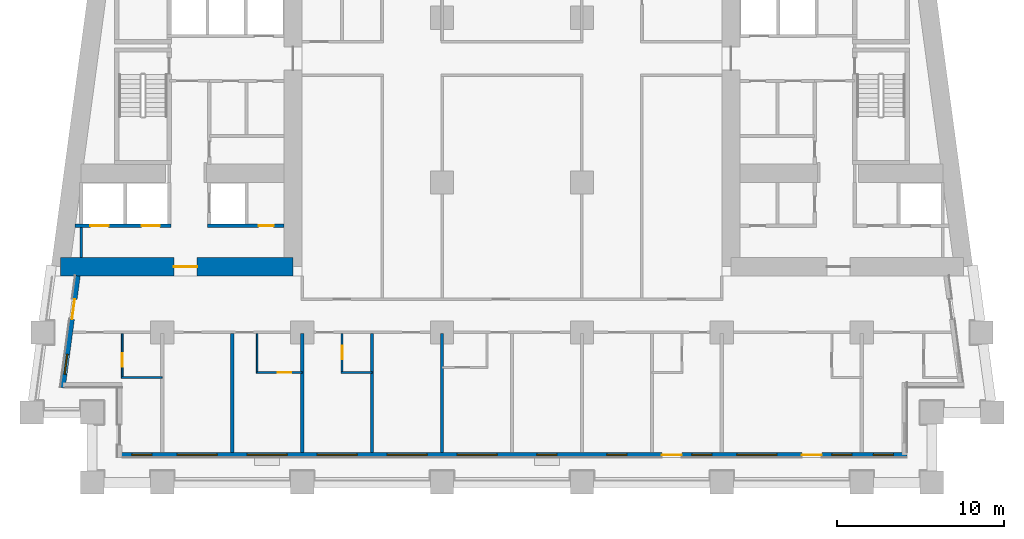
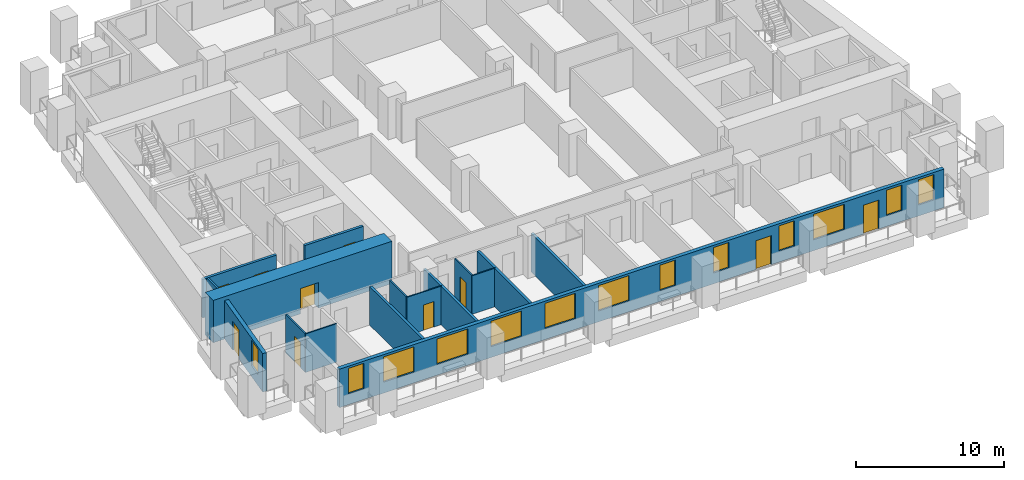
# One storey, part 2 of 12: 16 walls, 13 windows, 10 doors, 23 openings.
"""IFC4 building model written with IfcOpenShell, lengths in metres."""

from ifc_helpers import new_model, si_unit, direction, frame, frame_2d, origin, place, context, subcontext, project, spatial, rectangle, extrude, material, layer, layer_set, type_object, element, fill, save


model = new_model("IFC4")

# Units and contexts
model_context = context("Model", 3, precision=1e-05, world=origin(), true_north=direction((0.0, 1.0)))
body_context = subcontext(model_context, "Body", "Model", "MODEL_VIEW")
ifc_project = project(units=[si_unit("LENGTHUNIT", "METRE"), si_unit("AREAUNIT", "SQUARE_METRE"), si_unit("VOLUMEUNIT", "CUBIC_METRE"), si_unit("PLANEANGLEUNIT", "RADIAN"), si_unit("MASSUNIT", "GRAM", prefix="KILO")], contexts=[model_context])

# Site, building, storey
site_placement = place(None, origin())
site = spatial("IfcSite", under=ifc_project, at=site_placement, CompositionType="ELEMENT")
building_placement = place(site_placement, origin())
building = spatial("IfcBuilding", under=site, at=building_placement, Name="Candeia Pilgrim Tower and Theatre", CompositionType="ELEMENT")
storey_placement = place(building_placement, frame((0.0, 0.0, 49.5)))
storey = spatial("IfcBuildingStorey", under=building, at=storey_placement, Name="L09", CompositionType="ELEMENT", Elevation=49.5)

# Wall, opening, door
ifc_material_1 = material(Name="Concrete C80/95", Category="concrete")
ifc_layer_1 = layer(ifc_material_1, 1.10009765625)
ifc_layer_set_1 = layer_set([ifc_layer_1], Name="Core wall 1100 C80/95")
wall_type_1 = type_object("IfcWallType", Name="Core wall 1100 C80/95", PredefinedType="SHEAR", material=ifc_layer_set_1)
wall_1_placement = place(storey_placement, frame((100.25, 110.949951171875, 0.0), z_axis=(0.0, 0.0, 1.0), x_axis=(-1.0, 0.0, 0.0)))
wall_1 = element("IfcWall", 1, at=wall_1_placement, inside=storey, type_object=wall_type_1, Name="Core wall W3", PredefinedType="SHEAR", context=body_context, shape_type="SweptSolid", body=[
    extrude(rectangle(XDim=13.95166015625, YDim=1.10009765625, at=frame_2d((6.975830078125, 0.0))), origin(), (0.0, 0.0, 1.0), 3.5),
])
opening_1_placement = place(wall_1_placement, frame((5.74755859375, 0.0, 0.0)))
opening_1 = element("IfcOpeningElement", 2, at=opening_1_placement, cuts=wall_1, Name="Opening L09-D054", PredefinedType="OPENING", context=body_context, shape_type="SweptSolid", body=[
    extrude(rectangle(XDim=1.39990234375, YDim=2.10009765625, at=frame_2d((0.699951171875, 1.050048828125))), frame((0.0, 0.56005859375, 0.0), z_axis=(0.0, -1.0, 0.0), x_axis=(1.0, 0.0, 0.0)), (0.0, 0.0, 1.0), 1.1201171875),
])
ifc_material_2 = material(Name="Steel fire door set", Category="steel")
door_type_1 = type_object("IfcDoorType", Name="D-1400-FD60", OperationType="NOTDEFINED", PredefinedType="DOOR", material=ifc_material_2)
door_1_placement = place(opening_1_placement, origin())
door_1 = element("IfcDoor", 3, at=door_1_placement, inside=storey, type_object=door_type_1, Name="Door L09-D054", OperationType="SINGLE_SWING_LEFT", OverallHeight=2.10009765625, OverallWidth=1.39990234375, PredefinedType="DOOR", context=body_context, shape_type="SweptSolid", body=[
    extrude(rectangle(XDim=1.39990234375, YDim=2.10009765625, at=frame_2d((0.699951171875, 1.050048828125))), frame((0.0, 0.02490234375, 0.0), z_axis=(0.0, -1.0, 0.0), x_axis=(1.0, 0.0, 0.0)), (0.0, 0.0, 1.0), 0.050048828125),
])
fill(opening_1, door_1)

# Wall, openings, doors, windows
ifc_material_3 = material(Name="Ceramic block masonry", Category="masonry")
ifc_layer_2 = layer(ifc_material_3, 0.300048828125)
ifc_layer_set_2 = layer_set([ifc_layer_2], Name="EW1 glazing-line wall 300")
wall_type_2 = type_object("IfcWallType", Name="EW1 glazing-line wall 300", PredefinedType="SOLIDWALL", material=ifc_layer_set_2)
wall_2_placement = place(storey_placement, frame((89.85009765625, 99.64990234375, 0.0), z_axis=(0.0, 0.0, 1.0), x_axis=(1.0, 0.0, 0.0)))
wall_2 = element("IfcWall", 4, at=wall_2_placement, inside=storey, type_object=wall_type_2, Name="External wall L09-0.0", PredefinedType="SOLIDWALL", context=body_context, shape_type="SweptSolid", body=[
    extrude(rectangle(XDim=47.25, YDim=0.300048828125, at=frame_2d((23.625, 0.0))), origin(), (0.0, 0.0, 1.0), 3.179931640625),
])
opening_2_placement = place(wall_2_placement, frame((0.72509765625, 0.0, 0.89990234375)))
opening_2 = element("IfcOpeningElement", 5, at=opening_2_placement, cuts=wall_2, Name="Opening W-B", PredefinedType="OPENING", context=body_context, shape_type="SweptSolid", body=[
    extrude(rectangle(XDim=1.199951171875, YDim=2.10009765625, at=frame_2d((0.60009765625, 1.050048828125))), frame((0.0, 0.16015625, 0.0), z_axis=(0.0, -1.0, 0.0), x_axis=(1.0, 0.0, 0.0)), (0.0, 0.0, 1.0), 0.320068359375),
])
opening_3_placement = place(wall_2_placement, frame((3.449951171875, 0.0, 0.89990234375)))
opening_3 = element("IfcOpeningElement", 6, at=opening_3_placement, cuts=wall_2, Name="Opening W-A", PredefinedType="OPENING", context=body_context, shape_type="SweptSolid", body=[
    extrude(rectangle(XDim=2.39990234375, YDim=2.10009765625, at=frame_2d((1.199951171875, 1.050048828125))), frame((0.0, 0.16015625, 0.0), z_axis=(0.0, -1.0, 0.0), x_axis=(1.0, 0.0, 0.0)), (0.0, 0.0, 1.0), 0.320068359375),
])
opening_4_placement = place(wall_2_placement, frame((7.64990234375, 0.0, 0.89990234375)))
opening_4 = element("IfcOpeningElement", 7, at=opening_4_placement, cuts=wall_2, Name="Opening W-A", PredefinedType="OPENING", context=body_context, shape_type="SweptSolid", body=[
    extrude(rectangle(XDim=2.39990234375, YDim=2.10009765625, at=frame_2d((1.199951171875, 1.050048828125))), frame((0.0, 0.16015625, 0.0), z_axis=(0.0, -1.0, 0.0), x_axis=(1.0, 0.0, 0.0)), (0.0, 0.0, 1.0), 0.320068359375),
])
opening_5_placement = place(wall_2_placement, frame((11.85009765625, 0.0, 0.89990234375)))
opening_5 = element("IfcOpeningElement", 8, at=opening_5_placement, cuts=wall_2, Name="Opening W-A", PredefinedType="OPENING", context=body_context, shape_type="SweptSolid", body=[
    extrude(rectangle(XDim=2.39990234375, YDim=2.10009765625, at=frame_2d((1.199951171875, 1.050048828125))), frame((0.0, 0.16015625, 0.0), z_axis=(0.0, -1.0, 0.0), x_axis=(1.0, 0.0, 0.0)), (0.0, 0.0, 1.0), 0.320068359375),
])
opening_6_placement = place(wall_2_placement, frame((16.050048828125, 0.0, 0.89990234375)))
opening_6 = element("IfcOpeningElement", 9, at=opening_6_placement, cuts=wall_2, Name="Opening W-A", PredefinedType="OPENING", context=body_context, shape_type="SweptSolid", body=[
    extrude(rectangle(XDim=2.39990234375, YDim=2.10009765625, at=frame_2d((1.199951171875, 1.050048828125))), frame((0.0, 0.16015625, 0.0), z_axis=(0.0, -1.0, 0.0), x_axis=(1.0, 0.0, 0.0)), (0.0, 0.0, 1.0), 0.320068359375),
])
opening_7_placement = place(wall_2_placement, frame((20.25, 0.0, 0.89990234375)))
opening_7 = element("IfcOpeningElement", 10, at=opening_7_placement, cuts=wall_2, Name="Opening W-A", PredefinedType="OPENING", context=body_context, shape_type="SweptSolid", body=[
    extrude(rectangle(XDim=2.39990234375, YDim=2.10009765625, at=frame_2d((1.199951171875, 1.050048828125))), frame((0.0, 0.16015625, 0.0), z_axis=(0.0, -1.0, 0.0), x_axis=(1.0, 0.0, 0.0)), (0.0, 0.0, 1.0), 0.320068359375),
])
opening_8_placement = place(wall_2_placement, frame((25.050048828125, 0.0, 0.89990234375)))
opening_8 = element("IfcOpeningElement", 11, at=opening_8_placement, cuts=wall_2, Name="Opening W-B", PredefinedType="OPENING", context=body_context, shape_type="SweptSolid", body=[
    extrude(rectangle(XDim=1.199951171875, YDim=2.10009765625, at=frame_2d((0.60009765625, 1.050048828125))), frame((0.0, 0.16015625, 0.0), z_axis=(0.0, -1.0, 0.0), x_axis=(1.0, 0.0, 0.0)), (0.0, 0.0, 1.0), 0.320068359375),
])
opening_9_placement = place(wall_2_placement, frame((29.25, 0.0, 0.89990234375)))
opening_9 = element("IfcOpeningElement", 12, at=opening_9_placement, cuts=wall_2, Name="Opening W-B", PredefinedType="OPENING", context=body_context, shape_type="SweptSolid", body=[
    extrude(rectangle(XDim=1.199951171875, YDim=2.10009765625, at=frame_2d((0.60009765625, 1.050048828125))), frame((0.0, 0.16015625, 0.0), z_axis=(0.0, -1.0, 0.0), x_axis=(1.0, 0.0, 0.0)), (0.0, 0.0, 1.0), 0.320068359375),
])
opening_10_placement = place(wall_2_placement, frame((32.550048828125, 0.0, 0.0)))
opening_10 = element("IfcOpeningElement", 13, at=opening_10_placement, cuts=wall_2, Name="Opening L09-ED110", PredefinedType="OPENING", context=body_context, shape_type="SweptSolid", body=[
    extrude(rectangle(XDim=1.199951171875, YDim=2.39990234375, at=frame_2d((0.60009765625, 1.199951171875))), frame((0.0, 0.16015625, 0.0), z_axis=(0.0, -1.0, 0.0), x_axis=(1.0, 0.0, 0.0)), (0.0, 0.0, 1.0), 0.320068359375),
])
opening_11_placement = place(wall_2_placement, frame((34.35009765625, 0.0, 0.89990234375)))
opening_11 = element("IfcOpeningElement", 14, at=opening_11_placement, cuts=wall_2, Name="Opening W-B", PredefinedType="OPENING", context=body_context, shape_type="SweptSolid", body=[
    extrude(rectangle(XDim=1.199951171875, YDim=2.10009765625, at=frame_2d((0.60009765625, 1.050048828125))), frame((0.0, 0.16015625, 0.0), z_axis=(0.0, -1.0, 0.0), x_axis=(1.0, 0.0, 0.0)), (0.0, 0.0, 1.0), 0.320068359375),
])
opening_12_placement = place(wall_2_placement, frame((37.050048828125, 0.0, 0.89990234375)))
opening_12 = element("IfcOpeningElement", 15, at=opening_12_placement, cuts=wall_2, Name="Opening W-A", PredefinedType="OPENING", context=body_context, shape_type="SweptSolid", body=[
    extrude(rectangle(XDim=2.39990234375, YDim=2.10009765625, at=frame_2d((1.199951171875, 1.050048828125))), frame((0.0, 0.16015625, 0.0), z_axis=(0.0, -1.0, 0.0), x_axis=(1.0, 0.0, 0.0)), (0.0, 0.0, 1.0), 0.320068359375),
])
opening_13_placement = place(wall_2_placement, frame((40.949951171875, 0.0, 0.0)))
opening_13 = element("IfcOpeningElement", 16, at=opening_13_placement, cuts=wall_2, Name="Opening L09-ED111", PredefinedType="OPENING", context=body_context, shape_type="SweptSolid", body=[
    extrude(rectangle(XDim=1.199951171875, YDim=2.39990234375, at=frame_2d((0.60009765625, 1.199951171875))), frame((0.0, 0.16015625, 0.0), z_axis=(0.0, -1.0, 0.0), x_axis=(1.0, 0.0, 0.0)), (0.0, 0.0, 1.0), 0.320068359375),
])
opening_14_placement = place(wall_2_placement, frame((42.75, 0.0, 0.89990234375)))
opening_14 = element("IfcOpeningElement", 17, at=opening_14_placement, cuts=wall_2, Name="Opening W-B", PredefinedType="OPENING", context=body_context, shape_type="SweptSolid", body=[
    extrude(rectangle(XDim=1.199951171875, YDim=2.10009765625, at=frame_2d((0.60009765625, 1.050048828125))), frame((0.0, 0.16015625, 0.0), z_axis=(0.0, -1.0, 0.0), x_axis=(1.0, 0.0, 0.0)), (0.0, 0.0, 1.0), 0.320068359375),
])
opening_15_placement = place(wall_2_placement, frame((45.25, 0.0, 0.89990234375)))
opening_15 = element("IfcOpeningElement", 18, at=opening_15_placement, cuts=wall_2, Name="Opening W-B", PredefinedType="OPENING", context=body_context, shape_type="SweptSolid", body=[
    extrude(rectangle(XDim=1.199951171875, YDim=2.10009765625, at=frame_2d((0.60009765625, 1.050048828125))), frame((0.0, 0.16015625, 0.0), z_axis=(0.0, -1.0, 0.0), x_axis=(1.0, 0.0, 0.0)), (0.0, 0.0, 1.0), 0.320068359375),
])
ifc_material_4 = material(Name="Aluminium framed glazed door", Category="aluminium")
door_type_2 = type_object("IfcDoorType", Name="Loggia door 1200x2400", OperationType="DOUBLE_DOOR_SINGLE_SWING", PredefinedType="DOOR", material=ifc_material_4)
door_2_placement = place(opening_10_placement, origin())
door_2 = element("IfcDoor", 19, at=door_2_placement, inside=storey, type_object=door_type_2, Name="Loggia door L09-ED110", OperationType="DOUBLE_DOOR_SINGLE_SWING", OverallHeight=2.39990234375, OverallWidth=1.199951171875, PredefinedType="DOOR", context=body_context, shape_type="SweptSolid", body=[
    extrude(rectangle(XDim=1.199951171875, YDim=2.39990234375, at=frame_2d((0.60009765625, 1.199951171875))), frame((0.0, 0.02490234375, 0.0), z_axis=(0.0, -1.0, 0.0), x_axis=(1.0, 0.0, 0.0)), (0.0, 0.0, 1.0), 0.050048828125),
])
fill(opening_10, door_2)
door_3_placement = place(opening_13_placement, origin())
door_3 = element("IfcDoor", 20, at=door_3_placement, inside=storey, type_object=door_type_2, Name="Loggia door L09-ED111", OperationType="DOUBLE_DOOR_SINGLE_SWING", OverallHeight=2.39990234375, OverallWidth=1.199951171875, PredefinedType="DOOR", context=body_context, shape_type="SweptSolid", body=[
    extrude(rectangle(XDim=1.199951171875, YDim=2.39990234375, at=frame_2d((0.60009765625, 1.199951171875))), frame((0.0, 0.02490234375, 0.0), z_axis=(0.0, -1.0, 0.0), x_axis=(1.0, 0.0, 0.0)), (0.0, 0.0, 1.0), 0.050048828125),
])
fill(opening_13, door_3)
ifc_material_5 = material(Name="Aluminium framed double glazing", Category="aluminium")
window_type_1 = type_object("IfcWindowType", Name="W-A window 2400x2100", PartitioningType="DOUBLE_PANEL_VERTICAL", PredefinedType="WINDOW", material=ifc_material_5)
window_1_placement = place(opening_3_placement, origin())
window_1 = element("IfcWindow", 21, at=window_1_placement, inside=storey, type_object=window_type_1, Name="Window W-A L09", OverallHeight=2.10009765625, OverallWidth=2.39990234375, PartitioningType="SINGLE_PANEL", PredefinedType="WINDOW", context=body_context, shape_type="SweptSolid", body=[
    extrude(rectangle(XDim=2.39990234375, YDim=2.10009765625, at=frame_2d((1.199951171875, 1.050048828125))), frame((0.0, 0.030029296875, 0.0), z_axis=(0.0, -1.0, 0.0), x_axis=(1.0, 0.0, 0.0)), (0.0, 0.0, 1.0), 0.06005859375),
])
fill(opening_3, window_1)
window_2_placement = place(opening_4_placement, origin())
window_2 = element("IfcWindow", 22, at=window_2_placement, inside=storey, type_object=window_type_1, Name="Window W-A L09", OverallHeight=2.10009765625, OverallWidth=2.39990234375, PartitioningType="SINGLE_PANEL", PredefinedType="WINDOW", context=body_context, shape_type="SweptSolid", body=[
    extrude(rectangle(XDim=2.39990234375, YDim=2.10009765625, at=frame_2d((1.199951171875, 1.050048828125))), frame((0.0, 0.030029296875, 0.0), z_axis=(0.0, -1.0, 0.0), x_axis=(1.0, 0.0, 0.0)), (0.0, 0.0, 1.0), 0.06005859375),
])
fill(opening_4, window_2)
window_3_placement = place(opening_5_placement, origin())
window_3 = element("IfcWindow", 23, at=window_3_placement, inside=storey, type_object=window_type_1, Name="Window W-A L09", OverallHeight=2.10009765625, OverallWidth=2.39990234375, PartitioningType="SINGLE_PANEL", PredefinedType="WINDOW", context=body_context, shape_type="SweptSolid", body=[
    extrude(rectangle(XDim=2.39990234375, YDim=2.10009765625, at=frame_2d((1.199951171875, 1.050048828125))), frame((0.0, 0.030029296875, 0.0), z_axis=(0.0, -1.0, 0.0), x_axis=(1.0, 0.0, 0.0)), (0.0, 0.0, 1.0), 0.06005859375),
])
fill(opening_5, window_3)
window_4_placement = place(opening_6_placement, origin())
window_4 = element("IfcWindow", 24, at=window_4_placement, inside=storey, type_object=window_type_1, Name="Window W-A L09", OverallHeight=2.10009765625, OverallWidth=2.39990234375, PartitioningType="SINGLE_PANEL", PredefinedType="WINDOW", context=body_context, shape_type="SweptSolid", body=[
    extrude(rectangle(XDim=2.39990234375, YDim=2.10009765625, at=frame_2d((1.199951171875, 1.050048828125))), frame((0.0, 0.030029296875, 0.0), z_axis=(0.0, -1.0, 0.0), x_axis=(1.0, 0.0, 0.0)), (0.0, 0.0, 1.0), 0.06005859375),
])
fill(opening_6, window_4)
window_5_placement = place(opening_7_placement, origin())
window_5 = element("IfcWindow", 25, at=window_5_placement, inside=storey, type_object=window_type_1, Name="Window W-A L09", OverallHeight=2.10009765625, OverallWidth=2.39990234375, PartitioningType="SINGLE_PANEL", PredefinedType="WINDOW", context=body_context, shape_type="SweptSolid", body=[
    extrude(rectangle(XDim=2.39990234375, YDim=2.10009765625, at=frame_2d((1.199951171875, 1.050048828125))), frame((0.0, 0.030029296875, 0.0), z_axis=(0.0, -1.0, 0.0), x_axis=(1.0, 0.0, 0.0)), (0.0, 0.0, 1.0), 0.06005859375),
])
fill(opening_7, window_5)
window_6_placement = place(opening_12_placement, origin())
window_6 = element("IfcWindow", 26, at=window_6_placement, inside=storey, type_object=window_type_1, Name="Window W-A L09", OverallHeight=2.10009765625, OverallWidth=2.39990234375, PartitioningType="SINGLE_PANEL", PredefinedType="WINDOW", context=body_context, shape_type="SweptSolid", body=[
    extrude(rectangle(XDim=2.39990234375, YDim=2.10009765625, at=frame_2d((1.199951171875, 1.050048828125))), frame((0.0, 0.030029296875, 0.0), z_axis=(0.0, -1.0, 0.0), x_axis=(1.0, 0.0, 0.0)), (0.0, 0.0, 1.0), 0.06005859375),
])
fill(opening_12, window_6)
window_type_2 = type_object("IfcWindowType", Name="W-B window 1200x2100", PartitioningType="SINGLE_PANEL", PredefinedType="WINDOW", material=ifc_material_5)
window_7_placement = place(opening_2_placement, origin())
window_7 = element("IfcWindow", 27, at=window_7_placement, inside=storey, type_object=window_type_2, Name="Window W-B L09", OverallHeight=2.10009765625, OverallWidth=1.199951171875, PartitioningType="SINGLE_PANEL", PredefinedType="WINDOW", context=body_context, shape_type="SweptSolid", body=[
    extrude(rectangle(XDim=1.199951171875, YDim=2.10009765625, at=frame_2d((0.60009765625, 1.050048828125))), frame((0.0, 0.030029296875, 0.0), z_axis=(0.0, -1.0, 0.0), x_axis=(1.0, 0.0, 0.0)), (0.0, 0.0, 1.0), 0.06005859375),
])
fill(opening_2, window_7)
window_8_placement = place(opening_8_placement, origin())
window_8 = element("IfcWindow", 28, at=window_8_placement, inside=storey, type_object=window_type_2, Name="Window W-B L09", OverallHeight=2.10009765625, OverallWidth=1.199951171875, PartitioningType="SINGLE_PANEL", PredefinedType="WINDOW", context=body_context, shape_type="SweptSolid", body=[
    extrude(rectangle(XDim=1.199951171875, YDim=2.10009765625, at=frame_2d((0.60009765625, 1.050048828125))), frame((0.0, 0.030029296875, 0.0), z_axis=(0.0, -1.0, 0.0), x_axis=(1.0, 0.0, 0.0)), (0.0, 0.0, 1.0), 0.06005859375),
])
fill(opening_8, window_8)
window_9_placement = place(opening_9_placement, origin())
window_9 = element("IfcWindow", 29, at=window_9_placement, inside=storey, type_object=window_type_2, Name="Window W-B L09", OverallHeight=2.10009765625, OverallWidth=1.199951171875, PartitioningType="SINGLE_PANEL", PredefinedType="WINDOW", context=body_context, shape_type="SweptSolid", body=[
    extrude(rectangle(XDim=1.199951171875, YDim=2.10009765625, at=frame_2d((0.60009765625, 1.050048828125))), frame((0.0, 0.030029296875, 0.0), z_axis=(0.0, -1.0, 0.0), x_axis=(1.0, 0.0, 0.0)), (0.0, 0.0, 1.0), 0.06005859375),
])
fill(opening_9, window_9)
window_10_placement = place(opening_11_placement, origin())
window_10 = element("IfcWindow", 30, at=window_10_placement, inside=storey, type_object=window_type_2, Name="Window W-B L09", OverallHeight=2.10009765625, OverallWidth=1.199951171875, PartitioningType="SINGLE_PANEL", PredefinedType="WINDOW", context=body_context, shape_type="SweptSolid", body=[
    extrude(rectangle(XDim=1.199951171875, YDim=2.10009765625, at=frame_2d((0.60009765625, 1.050048828125))), frame((0.0, 0.030029296875, 0.0), z_axis=(0.0, -1.0, 0.0), x_axis=(1.0, 0.0, 0.0)), (0.0, 0.0, 1.0), 0.06005859375),
])
fill(opening_11, window_10)
window_11_placement = place(opening_14_placement, origin())
window_11 = element("IfcWindow", 31, at=window_11_placement, inside=storey, type_object=window_type_2, Name="Window W-B L09", OverallHeight=2.10009765625, OverallWidth=1.199951171875, PartitioningType="SINGLE_PANEL", PredefinedType="WINDOW", context=body_context, shape_type="SweptSolid", body=[
    extrude(rectangle(XDim=1.199951171875, YDim=2.10009765625, at=frame_2d((0.60009765625, 1.050048828125))), frame((0.0, 0.030029296875, 0.0), z_axis=(0.0, -1.0, 0.0), x_axis=(1.0, 0.0, 0.0)), (0.0, 0.0, 1.0), 0.06005859375),
])
fill(opening_14, window_11)
window_12_placement = place(opening_15_placement, origin())
window_12 = element("IfcWindow", 32, at=window_12_placement, inside=storey, type_object=window_type_2, Name="Window W-B L09", OverallHeight=2.10009765625, OverallWidth=1.199951171875, PartitioningType="SINGLE_PANEL", PredefinedType="WINDOW", context=body_context, shape_type="SweptSolid", body=[
    extrude(rectangle(XDim=1.199951171875, YDim=2.10009765625, at=frame_2d((0.60009765625, 1.050048828125))), frame((0.0, 0.030029296875, 0.0), z_axis=(0.0, -1.0, 0.0), x_axis=(1.0, 0.0, 0.0)), (0.0, 0.0, 1.0), 0.06005859375),
])
fill(opening_15, window_12)

# Wall, openings, door, window
wall_3_placement = place(storey_placement, frame((87.334228515625, 110.39990234375, 0.0), z_axis=(0.0, 0.0, 1.0), x_axis=(-0.133437175554, -0.991057273915, 0.0)))
wall_3 = element("IfcWall", 33, at=wall_3_placement, inside=storey, type_object=wall_type_2, Name="External wall L09-9.1", PredefinedType="SOLIDWALL", context=body_context, shape_type="SweptSolid", body=[
    extrude(rectangle(XDim=6.780517578125, YDim=0.300048828125, at=frame_2d((3.39013671875, 0.0))), origin(), (0.0, 0.0, 1.0), 3.179931640625),
])
opening_16_placement = place(wall_3_placement, frame((1.41796875, 0.0, 0.0)))
opening_16 = element("IfcOpeningElement", 34, at=opening_16_placement, cuts=wall_3, Name="Opening L09-ED118", PredefinedType="OPENING", context=body_context, shape_type="SweptSolid", body=[
    extrude(rectangle(XDim=1.199951171875, YDim=2.39990234375, at=frame_2d((0.60009765625, 1.199951171875))), frame((0.0, 0.16015625, 0.0), z_axis=(0.0, -1.0, 0.0), x_axis=(1.0, 0.0, 0.0)), (0.0, 0.0, 1.0), 0.320068359375),
])
opening_17_placement = place(wall_3_placement, frame((4.75830078125, 0.0, 0.89990234375)))
opening_17 = element("IfcOpeningElement", 35, at=opening_17_placement, cuts=wall_3, Name="Opening W-B", PredefinedType="OPENING", context=body_context, shape_type="SweptSolid", body=[
    extrude(rectangle(XDim=1.199951171875, YDim=2.10009765625, at=frame_2d((0.60009765625, 1.050048828125))), frame((0.0, 0.16015625, 0.0), z_axis=(0.0, -1.0, 0.0), x_axis=(1.0, 0.0, 0.0)), (0.0, 0.0, 1.0), 0.320068359375),
])
door_4_placement = place(opening_16_placement, origin())
door_4 = element("IfcDoor", 36, at=door_4_placement, inside=storey, type_object=door_type_2, Name="Loggia door L09-ED118", OperationType="DOUBLE_DOOR_SINGLE_SWING", OverallHeight=2.39990234375, OverallWidth=1.199951171875, PredefinedType="DOOR", context=body_context, shape_type="SweptSolid", body=[
    extrude(rectangle(XDim=1.199951171875, YDim=2.39990234375, at=frame_2d((0.60009765625, 1.199951171875))), frame((0.0, 0.02490234375, 0.0), z_axis=(0.0, -1.0, 0.0), x_axis=(1.0, 0.0, 0.0)), (0.0, 0.0, 1.0), 0.050048828125),
])
fill(opening_16, door_4)
window_13_placement = place(opening_17_placement, origin())
window_13 = element("IfcWindow", 37, at=window_13_placement, inside=storey, type_object=window_type_2, Name="Window W-B L09", OverallHeight=2.10009765625, OverallWidth=1.199951171875, PartitioningType="SINGLE_PANEL", PredefinedType="WINDOW", context=body_context, shape_type="SweptSolid", body=[
    extrude(rectangle(XDim=1.199951171875, YDim=2.10009765625, at=frame_2d((0.60009765625, 1.050048828125))), frame((0.0, 0.030029296875, 0.0), z_axis=(0.0, -1.0, 0.0), x_axis=(1.0, 0.0, 0.0)), (0.0, 0.0, 1.0), 0.06005859375),
])
fill(opening_17, window_13)

# Wall
ifc_material_6 = material(Name="Gypsum board partition on steel studs", Category="steel")
ifc_layer_3 = layer(ifc_material_6, 0.10009765625)
ifc_layer_set_3 = layer_set([ifc_layer_3], Name="PW-100 room partition")
wall_type_3 = type_object("IfcWallType", Name="PW-100 room partition", PredefinedType="PARTITIONING", material=ifc_layer_set_3)
wall_4_placement = place(storey_placement, frame((89.949951171875, 104.300048828125, 0.0), z_axis=(0.0, 0.0, 1.0), x_axis=(1.0, 0.0, 0.0)))
element("IfcWall", 38, at=wall_4_placement, inside=storey, type_object=wall_type_3, Name="Room partition L09-001", PredefinedType="PARTITIONING", context=body_context, shape_type="SweptSolid", body=[
    extrude(rectangle(XDim=2.449951171875, YDim=0.10009765625, at=frame_2d((1.22509765625, 0.0))), origin(), (0.0, 0.0, 1.0), 3.179931640625),
])

# Wall, opening, door
wall_5_placement = place(storey_placement, frame((98.050048828125, 104.60009765625, 0.0), z_axis=(0.0, 0.0, 1.0), x_axis=(1.0, 0.0, 0.0)))
wall_5 = element("IfcWall", 39, at=wall_5_placement, inside=storey, type_object=wall_type_3, Name="Room partition L09-004", PredefinedType="PARTITIONING", context=body_context, shape_type="SweptSolid", body=[
    extrude(rectangle(XDim=2.75, YDim=0.10009765625, at=frame_2d((1.375, 0.0))), origin(), (0.0, 0.0, 1.0), 3.179931640625),
])
opening_18_placement = place(wall_5_placement, frame((1.300048828125, 0.0, 0.0)))
opening_18 = element("IfcOpeningElement", 40, at=opening_18_placement, cuts=wall_5, Name="Opening L09-D021", PredefinedType="OPENING", context=body_context, shape_type="SweptSolid", body=[
    extrude(rectangle(XDim=0.800048828125, YDim=2.10009765625, at=frame_2d((0.39990234375, 1.050048828125))), frame((0.0, 0.06005859375, 0.0), z_axis=(0.0, -1.0, 0.0), x_axis=(1.0, 0.0, 0.0)), (0.0, 0.0, 1.0), 0.1201171875),
])
ifc_material_7 = material(Name="Timber door leaf", Category="wood")
door_type_3 = type_object("IfcDoorType", Name="D-800", OperationType="NOTDEFINED", PredefinedType="DOOR", material=ifc_material_7)
door_5_placement = place(opening_18_placement, origin())
door_5 = element("IfcDoor", 41, at=door_5_placement, inside=storey, type_object=door_type_3, Name="Door L09-D021", OperationType="SINGLE_SWING_RIGHT", OverallHeight=2.10009765625, OverallWidth=0.800048828125, PredefinedType="DOOR", context=body_context, shape_type="SweptSolid", body=[
    extrude(rectangle(XDim=0.800048828125, YDim=2.10009765625, at=frame_2d((0.39990234375, 1.050048828125))), frame((0.0, 0.02490234375, 0.0), z_axis=(0.0, -1.0, 0.0), x_axis=(1.0, 0.0, 0.0)), (0.0, 0.0, 1.0), 0.050048828125),
])
fill(opening_18, door_5)

# Wall
wall_6_placement = place(storey_placement, frame((103.14990234375, 104.60009765625, 0.0), z_axis=(0.0, 0.0, 1.0), x_axis=(1.0, 0.0, 0.0)))
element("IfcWall", 42, at=wall_6_placement, inside=storey, type_object=wall_type_3, Name="Room partition L09-005", PredefinedType="PARTITIONING", context=body_context, shape_type="SweptSolid", body=[
    extrude(rectangle(XDim=1.85009765625, YDim=0.10009765625, at=frame_2d((0.925048828125, 0.0))), origin(), (0.0, 0.0, 1.0), 3.179931640625),
])

# Wall, opening, door
wall_7_placement = place(storey_placement, frame((90.0, 104.35009765625, 0.0), z_axis=(0.0, 0.0, 1.0), x_axis=(0.0, 1.0, 0.0)))
wall_7 = element("IfcWall", 43, at=wall_7_placement, inside=storey, type_object=wall_type_3, Name="Room partition L09-051", PredefinedType="PARTITIONING", context=body_context, shape_type="SweptSolid", body=[
    extrude(rectangle(XDim=2.574951171875, YDim=0.10009765625, at=frame_2d((1.28759765625, 0.0))), origin(), (0.0, 0.0, 1.0), 3.179931640625),
])
opening_19_placement = place(wall_7_placement, frame((0.60009765625, 0.0, 0.0)))
opening_19 = element("IfcOpeningElement", 44, at=opening_19_placement, cuts=wall_7, Name="Opening L09-D018", PredefinedType="OPENING", context=body_context, shape_type="SweptSolid", body=[
    extrude(rectangle(XDim=0.800048828125, YDim=2.10009765625, at=frame_2d((0.39990234375, 1.050048828125))), frame((0.0, 0.06005859375, 0.0), z_axis=(0.0, -1.0, 0.0), x_axis=(1.0, 0.0, 0.0)), (0.0, 0.0, 1.0), 0.1201171875),
])
door_6_placement = place(opening_19_placement, origin())
door_6 = element("IfcDoor", 45, at=door_6_placement, inside=storey, type_object=door_type_3, Name="Door L09-D018", OperationType="SINGLE_SWING_LEFT", OverallHeight=2.10009765625, OverallWidth=0.800048828125, PredefinedType="DOOR", context=body_context, shape_type="SweptSolid", body=[
    extrude(rectangle(XDim=0.800048828125, YDim=2.10009765625, at=frame_2d((0.39990234375, 1.050048828125))), frame((0.0, 0.02490234375, 0.0), z_axis=(0.0, -1.0, 0.0), x_axis=(1.0, 0.0, 0.0)), (0.0, 0.0, 1.0), 0.050048828125),
])
fill(opening_19, door_6)

# Wall
wall_8_placement = place(storey_placement, frame((98.10009765625, 104.64990234375, 0.0), z_axis=(0.0, 0.0, 1.0), x_axis=(0.0, 1.0, 0.0)))
element("IfcWall", 46, at=wall_8_placement, inside=storey, type_object=wall_type_3, Name="Room partition L09-069", PredefinedType="PARTITIONING", context=body_context, shape_type="SweptSolid", body=[
    extrude(rectangle(XDim=2.275146484375, YDim=0.10009765625, at=frame_2d((1.1376953125, 0.0))), origin(), (0.0, 0.0, 1.0), 3.179931640625),
])

# Wall, opening, door
wall_9_placement = place(storey_placement, frame((103.199951171875, 104.64990234375, 0.0), z_axis=(0.0, 0.0, 1.0), x_axis=(0.0, 1.0, 0.0)))
wall_9 = element("IfcWall", 47, at=wall_9_placement, inside=storey, type_object=wall_type_3, Name="Room partition L09-074", PredefinedType="PARTITIONING", context=body_context, shape_type="SweptSolid", body=[
    extrude(rectangle(XDim=2.275146484375, YDim=0.10009765625, at=frame_2d((1.1376953125, 0.0))), origin(), (0.0, 0.0, 1.0), 3.179931640625),
])
opening_20_placement = place(wall_9_placement, frame((0.75, 0.0, 0.0)))
opening_20 = element("IfcOpeningElement", 48, at=opening_20_placement, cuts=wall_9, Name="Opening L09-D023", PredefinedType="OPENING", context=body_context, shape_type="SweptSolid", body=[
    extrude(rectangle(XDim=0.800048828125, YDim=2.10009765625, at=frame_2d((0.39990234375, 1.050048828125))), frame((0.0, 0.06005859375, 0.0), z_axis=(0.0, -1.0, 0.0), x_axis=(1.0, 0.0, 0.0)), (0.0, 0.0, 1.0), 0.1201171875),
])
door_7_placement = place(opening_20_placement, origin())
door_7 = element("IfcDoor", 49, at=door_7_placement, inside=storey, type_object=door_type_3, Name="Door L09-D023", OperationType="SINGLE_SWING_RIGHT", OverallHeight=2.10009765625, OverallWidth=0.800048828125, PredefinedType="DOOR", context=body_context, shape_type="SweptSolid", body=[
    extrude(rectangle(XDim=0.800048828125, YDim=2.10009765625, at=frame_2d((0.39990234375, 1.050048828125))), frame((0.0, 0.02490234375, 0.0), z_axis=(0.0, -1.0, 0.0), x_axis=(1.0, 0.0, 0.0)), (0.0, 0.0, 1.0), 0.050048828125),
])
fill(opening_20, door_7)

# Walls
ifc_layer_4 = layer(ifc_material_6, 0.14990234375)
ifc_layer_set_4 = layer_set([ifc_layer_4], Name="PW-150 lobby wall")
wall_type_4 = type_object("IfcWallType", Name="PW-150 lobby wall", PredefinedType="PARTITIONING", material=ifc_layer_set_4)
wall_10_placement = place(storey_placement, frame((87.530029296875, 111.5, 0.0), z_axis=(0.0, 0.0, 1.0), x_axis=(0.0, 1.0, 0.0)))
element("IfcWall", 50, at=wall_10_placement, inside=storey, type_object=wall_type_4, Name="Lobby wall L09-048", PredefinedType="PARTITIONING", context=body_context, shape_type="SweptSolid", body=[
    extrude(rectangle(XDim=1.800048828125, YDim=0.14990234375, at=frame_2d((0.89990234375, 0.0))), origin(), (0.0, 0.0, 1.0), 3.179931640625),
])
ifc_layer_5 = layer(ifc_material_6, 0.199951171875)
ifc_layer_set_5 = layer_set([ifc_layer_5], Name="PW-200 party wall")
wall_type_5 = type_object("IfcWallType", Name="PW-200 party wall", PredefinedType="PARTITIONING", material=ifc_layer_set_5)
for number, where, z_axis, x_axis, name in (
    (51, (96.60009765625, 99.7900390625, 0.0), (0.0, 0.0, 1.0), (0.0, 1.0, 0.0), "Party wall L09-064"),
    (52, (100.800048828125, 99.7900390625, 0.0), (0.0, 0.0, 1.0), (0.0, 1.0, 0.0), "Party wall L09-070"),
    (53, (105.0, 99.7900390625, 0.0), (0.0, 0.0, 1.0), (0.0, 1.0, 0.0), "Party wall L09-076"),
    (54, (109.199951171875, 99.7900390625, 0.0), (0.0, 0.0, 1.0), (0.0, 1.0, 0.0), "Party wall L09-080"),
):
    element("IfcWall", number, at=place(storey_placement, frame(where, z_axis=z_axis, x_axis=x_axis)), inside=storey, type_object=wall_type_5, Name=name, PredefinedType="PARTITIONING", context=body_context, shape_type="SweptSolid", body=[
        extrude(rectangle(XDim=7.135009765625, YDim=0.199951171875, at=frame_2d((3.5673828125, 0.0))), origin(), (0.0, 0.0, 1.0), 3.179931640625),
    ])

# Wall, openings, doors
ifc_material_8 = material(Name="Concrete C40/50", Category="concrete")
ifc_layer_6 = layer(ifc_material_8, 0.199951171875)
ifc_layer_set_6 = layer_set([ifc_layer_6], Name="SW-200 shaft wall")
wall_type_6 = type_object("IfcWallType", Name="SW-200 shaft wall", PredefinedType="PARTITIONING", material=ifc_layer_set_6)
wall_11_placement = place(storey_placement, frame((87.153076171875, 113.39990234375, 0.0), z_axis=(0.0, 0.0, 1.0), x_axis=(1.0, 0.0, 0.0)))
wall_11 = element("IfcWall", 55, at=wall_11_placement, inside=storey, type_object=wall_type_6, Name="Shaft wall L09-010", PredefinedType="PARTITIONING", context=body_context, shape_type="SweptSolid", body=[
    extrude(rectangle(XDim=5.77392578125, YDim=0.199951171875, at=frame_2d((2.886962890625, 0.0))), origin(), (0.0, 0.0, 1.0), 3.179931640625),
])
opening_21_placement = place(wall_11_placement, frame((0.93896484375, 0.0, 0.0)))
opening_21 = element("IfcOpeningElement", 56, at=opening_21_placement, cuts=wall_11, Name="Opening L09-LD03", PredefinedType="OPENING", context=body_context, shape_type="SweptSolid", body=[
    extrude(rectangle(XDim=1.10009765625, YDim=2.10009765625, at=frame_2d((0.550048828125, 1.050048828125))), frame((0.0, 0.10986328125, 0.0), z_axis=(0.0, -1.0, 0.0), x_axis=(1.0, 0.0, 0.0)), (0.0, 0.0, 1.0), 0.219970703125),
])
opening_22_placement = place(wall_11_placement, frame((4.011962890625, 0.0, 0.0)))
opening_22 = element("IfcOpeningElement", 57, at=opening_22_placement, cuts=wall_11, Name="Opening L09-LD04", PredefinedType="OPENING", context=body_context, shape_type="SweptSolid", body=[
    extrude(rectangle(XDim=1.10009765625, YDim=2.10009765625, at=frame_2d((0.550048828125, 1.050048828125))), frame((0.0, 0.10986328125, 0.0), z_axis=(0.0, -1.0, 0.0), x_axis=(1.0, 0.0, 0.0)), (0.0, 0.0, 1.0), 0.219970703125),
])
ifc_material_9 = material(Name="Glazed aluminium landing door", Category="aluminium")
door_type_4 = type_object("IfcDoorType", Name="LD-1100-EI120", OperationType="SLIDING_TO_LEFT", PredefinedType="DOOR", material=ifc_material_9)
door_8_placement = place(opening_21_placement, origin())
door_8 = element("IfcDoor", 58, at=door_8_placement, inside=storey, type_object=door_type_4, Name="Landing door 03 L09", OperationType="SLIDING_TO_LEFT", OverallHeight=2.10009765625, OverallWidth=1.10009765625, PredefinedType="DOOR", context=body_context, shape_type="SweptSolid", body=[
    extrude(rectangle(XDim=1.10009765625, YDim=2.10009765625, at=frame_2d((0.550048828125, 1.050048828125))), frame((0.0, 0.02490234375, 0.0), z_axis=(0.0, -1.0, 0.0), x_axis=(1.0, 0.0, 0.0)), (0.0, 0.0, 1.0), 0.050048828125),
])
fill(opening_21, door_8)
door_9_placement = place(opening_22_placement, origin())
door_9 = element("IfcDoor", 59, at=door_9_placement, inside=storey, type_object=door_type_4, Name="Landing door 04 L09", OperationType="SLIDING_TO_LEFT", OverallHeight=2.10009765625, OverallWidth=1.10009765625, PredefinedType="DOOR", context=body_context, shape_type="SweptSolid", body=[
    extrude(rectangle(XDim=1.10009765625, YDim=2.10009765625, at=frame_2d((0.550048828125, 1.050048828125))), frame((0.0, 0.02490234375, 0.0), z_axis=(0.0, -1.0, 0.0), x_axis=(1.0, 0.0, 0.0)), (0.0, 0.0, 1.0), 0.050048828125),
])
fill(opening_22, door_9)

# Wall, opening, door
wall_12_placement = place(storey_placement, frame((95.126953125, 113.39990234375, 0.0), z_axis=(0.0, 0.0, 1.0), x_axis=(1.0, 0.0, 0.0)))
wall_12 = element("IfcWall", 60, at=wall_12_placement, inside=storey, type_object=wall_type_6, Name="Shaft wall L09-011", PredefinedType="PARTITIONING", context=body_context, shape_type="SweptSolid", body=[
    extrude(rectangle(XDim=4.572998046875, YDim=0.199951171875, at=frame_2d((2.28662109375, 0.0))), origin(), (0.0, 0.0, 1.0), 3.179931640625),
])
opening_23_placement = place(wall_12_placement, frame((3.068115234375, 0.0, 0.0)))
opening_23 = element("IfcOpeningElement", 61, at=opening_23_placement, cuts=wall_12, Name="Opening L09-D007", PredefinedType="OPENING", context=body_context, shape_type="SweptSolid", body=[
    extrude(rectangle(XDim=0.89990234375, YDim=2.10009765625, at=frame_2d((0.449951171875, 1.050048828125))), frame((0.0, 0.10986328125, 0.0), z_axis=(0.0, -1.0, 0.0), x_axis=(1.0, 0.0, 0.0)), (0.0, 0.0, 1.0), 0.219970703125),
])
door_type_5 = type_object("IfcDoorType", Name="D-900-FD60", OperationType="NOTDEFINED", PredefinedType="DOOR", material=ifc_material_2)
door_10_placement = place(opening_23_placement, origin())
door_10 = element("IfcDoor", 62, at=door_10_placement, inside=storey, type_object=door_type_5, Name="Door L09-D007", OperationType="SINGLE_SWING_LEFT", OverallHeight=2.10009765625, OverallWidth=0.89990234375, PredefinedType="DOOR", context=body_context, shape_type="SweptSolid", body=[
    extrude(rectangle(XDim=0.89990234375, YDim=2.10009765625, at=frame_2d((0.449951171875, 1.050048828125))), frame((0.0, 0.02490234375, 0.0), z_axis=(0.0, -1.0, 0.0), x_axis=(1.0, 0.0, 0.0)), (0.0, 0.0, 1.0), 0.050048828125),
])
fill(opening_23, door_10)

save(model, "model.ifc")
